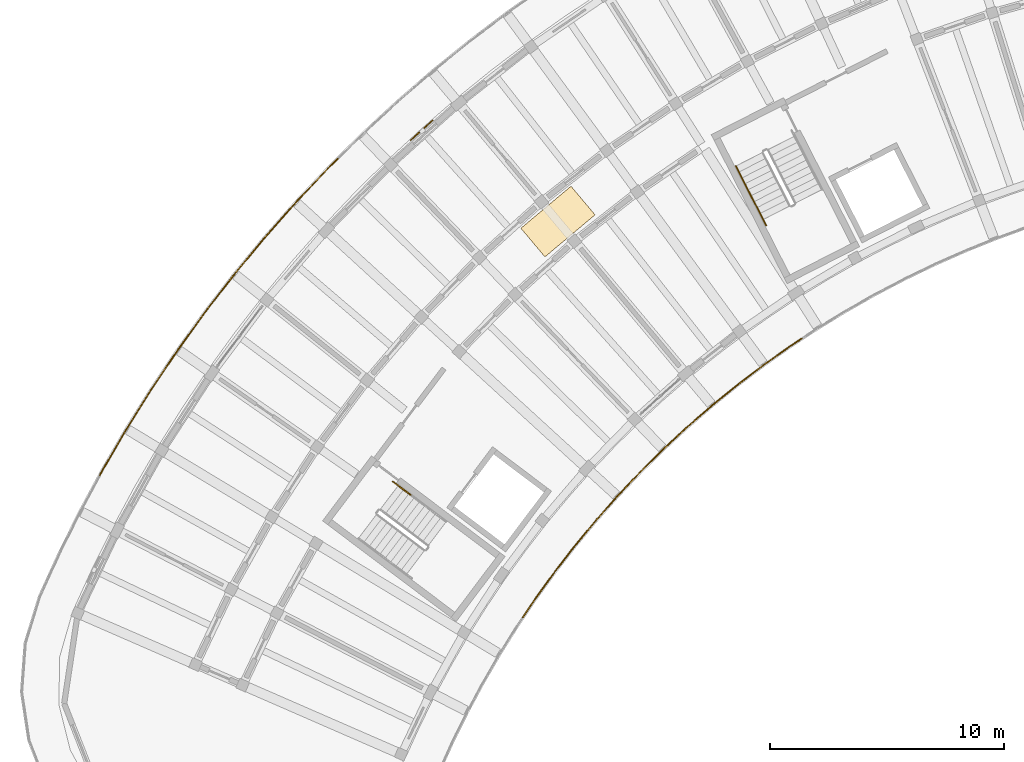
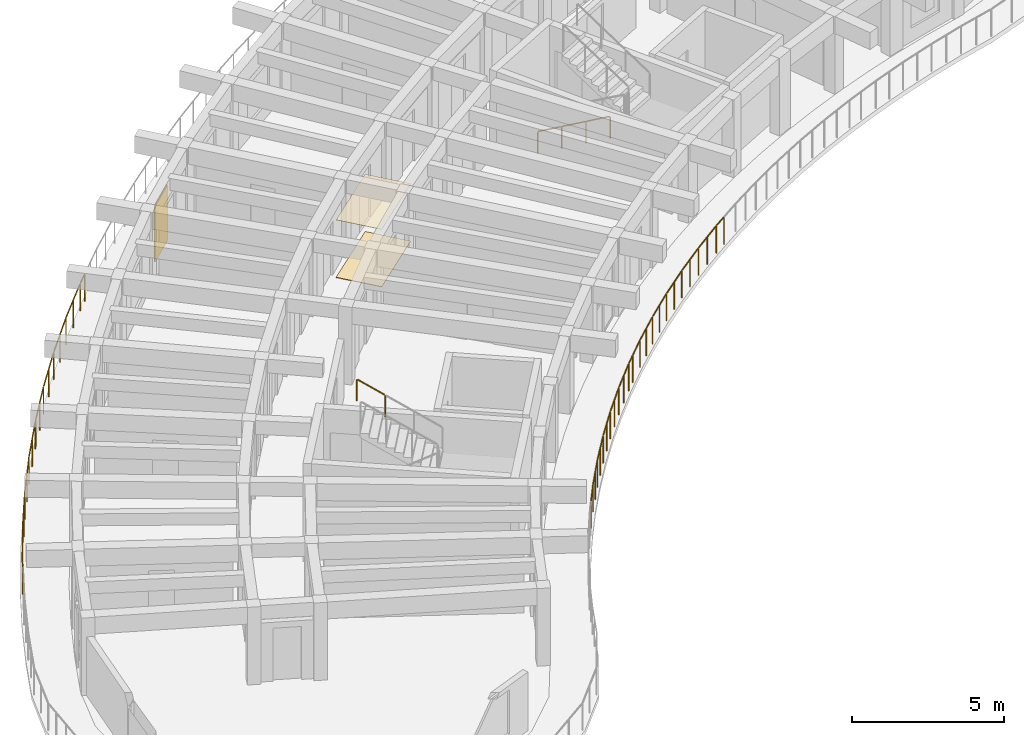
# One storey, part 28 of 32: 8 railings, 2 coverings, 1 shading device.
"""IFC4 building model written with IfcOpenShell, lengths in metres."""

from ifc_helpers import new_model, si_unit, direction, frame, origin, origin_2d, place, context, subcontext, project, spatial, rectangle, circle, extrude, material, layer, layer_set, type_object, element, save


model = new_model("IFC4")

# Units and contexts
model_context = context("Model", 3, precision=1e-05, world=origin(), true_north=direction((0.0, 1.0)))
body_context = subcontext(model_context, "Body", "Model", "MODEL_VIEW")
ifc_project = project(units=[si_unit("LENGTHUNIT", "METRE"), si_unit("AREAUNIT", "SQUARE_METRE"), si_unit("VOLUMEUNIT", "CUBIC_METRE"), si_unit("PLANEANGLEUNIT", "RADIAN"), si_unit("MASSUNIT", "GRAM", prefix="KILO")], contexts=[model_context])

# Site, building, storey
site_placement = place(None, origin())
site = spatial("IfcSite", under=ifc_project, at=site_placement, CompositionType="ELEMENT")
building_placement = place(site_placement, origin())
building = spatial("IfcBuilding", under=site, at=building_placement, Name="Tanwirah Colonnade Gardens", CompositionType="ELEMENT")
storey_placement = place(building_placement, frame((0.0, 0.0, 42.43994140625)))
storey = spatial("IfcBuildingStorey", under=building, at=storey_placement, Name="L12", CompositionType="ELEMENT", Elevation=42.43994140625)

# Railings
ifc_material_1 = material(Name="Precast concrete C40/50", Category="concrete")
railing_type_1 = type_object("IfcRailingType", Name="BAL-EXT112", PredefinedType="BALUSTRADE", material=ifc_material_1)
railing_1_placement = place(storey_placement, frame((41.39892578125, 95.754150390625, 0.0)))
element("IfcRailing", 1, at=railing_1_placement, inside=storey, type_object=railing_type_1, Name="Block A L12 Balcony Ribbon Balustrade 3", PredefinedType="BALUSTRADE", context=body_context, shape_type="SweptSolid", body=[
    extrude(circle(Radius=0.02392578125, at=origin_2d()), frame((-0.026123046875, -0.01708984375, 1.09619140625), z_axis=(-0.834976332219, -0.5502858572, 0.0), x_axis=(0.5502858572, -0.834976332219, 0.0)), (0.0, 0.0, 1.0), 0.5),
    extrude(circle(Radius=0.02392578125, at=origin_2d()), frame((-0.49755859375, -0.3291015625, 1.09619140625), z_axis=(-0.816321661452, -0.577597563226, 0.0), x_axis=(0.577597563226, -0.816321661452, 0.0)), (0.0, 0.0, 1.0), 1.341552734375),
    extrude(circle(Radius=0.02392578125, at=origin_2d()), frame((-1.645263671875, -1.142333984375, 1.09619140625), z_axis=(-0.796818244666, -0.604219070344, 0.0), x_axis=(0.604219070344, -0.796818244666, 0.0)), (0.0, 0.0, 1.0), 1.342041015625),
    extrude(circle(Radius=0.02392578125, at=origin_2d()), frame((-2.765625, -1.993408203125, 1.09619140625), z_axis=(-0.776491375378, -0.630127879056, 0.0), x_axis=(0.630127879056, -0.776491375378, 0.0)), (0.0, 0.0, 1.0), 1.342041015625),
    extrude(circle(Radius=0.02392578125, at=origin_2d()), frame((-3.857666015625, -2.880859375, 1.09619140625), z_axis=(-0.755402192857, -0.655261418845, 0.0), x_axis=(0.655261418845, -0.755402192857, 0.0)), (0.0, 0.0, 1.0), 1.341796875),
    extrude(circle(Radius=0.02392578125, at=origin_2d()), frame((-4.919677734375, -3.803466796875, 1.09619140625), z_axis=(-0.73336899588, -0.679830799451, 0.0), x_axis=(0.679830799451, -0.73336899588, 0.0)), (0.0, 0.0, 1.0), 1.342041015625),
    extrude(circle(Radius=0.02392578125, at=origin_2d()), frame((-5.950927734375, -4.7607421875, 1.09619140625), z_axis=(-0.710354062719, -0.703844518043, 0.0), x_axis=(0.703844518043, -0.710354062719, 0.0)), (0.0, 0.0, 1.0), 0.837646484375),
    extrude(circle(Radius=0.02099609375, at=origin_2d()), origin(), (0.0, 0.0, 1.0), 1.069091796875),
    extrude(circle(Radius=0.02099609375, at=origin_2d()), frame((-0.4697265625, -0.3095703125, 0.0)), (0.0, 0.0, 1.0), 1.069091796875),
    extrude(circle(Radius=0.02099609375, at=origin_2d()), frame((-1.044921875, -0.716552734375, 0.0)), (0.0, 0.0, 1.0), 1.069091796875),
    extrude(circle(Radius=0.02099609375, at=origin_2d()), frame((-1.6181640625, -1.1220703125, 0.0)), (0.0, 0.0, 1.0), 1.069091796875),
    extrude(circle(Radius=0.02099609375, at=origin_2d()), frame((-2.179931640625, -1.5478515625, 0.0)), (0.0, 0.0, 1.0), 1.069091796875),
    extrude(circle(Radius=0.02099609375, at=origin_2d()), frame((-2.739501953125, -1.97216796875, 0.0)), (0.0, 0.0, 1.0), 1.069091796875),
    extrude(circle(Radius=0.02099609375, at=origin_2d()), frame((-3.28662109375, -2.416015625, 0.0)), (0.0, 0.0, 1.0), 1.069091796875),
    extrude(circle(Radius=0.02099609375, at=origin_2d()), frame((-3.83203125, -2.858642578125, 0.0)), (0.0, 0.0, 1.0), 1.069091796875),
    extrude(circle(Radius=0.02099609375, at=origin_2d()), frame((-4.3642578125, -3.3203125, 0.0)), (0.0, 0.0, 1.0), 1.069091796875),
    extrude(circle(Radius=0.02099609375, at=origin_2d()), frame((-4.894775390625, -3.780517578125, 0.0)), (0.0, 0.0, 1.0), 1.069091796875),
    extrude(circle(Radius=0.02099609375, at=origin_2d()), frame((-5.41162109375, -4.259765625, 0.0)), (0.0, 0.0, 1.0), 1.069091796875),
    extrude(circle(Radius=0.02099609375, at=origin_2d()), frame((-5.9267578125, -4.737060546875, 0.0)), (0.0, 0.0, 1.0), 1.069091796875),
    extrude(circle(Radius=0.02099609375, at=origin_2d()), frame((-6.568115234375, -5.372314453125, 0.0)), (0.0, 0.0, 1.0), 1.069091796875),
])
railing_2_placement = place(storey_placement, frame((34.830810546875, 90.3818359375, 0.0)))
element("IfcRailing", 2, at=railing_2_placement, inside=storey, type_object=railing_type_1, Name="Block A L12 Balcony Ribbon Balustrade 4", PredefinedType="BALUSTRADE", context=body_context, shape_type="SweptSolid", body=[
    extrude(circle(Radius=0.02392578125, at=origin_2d()), frame((-0.022216796875, -0.02197265625, 1.09619140625), z_axis=(-0.710728564395, -0.703466351543, 0.0), x_axis=(0.703466351543, -0.710728564395, 0.0)), (0.0, 0.0, 1.0), 0.441650390625),
    extrude(circle(Radius=0.02392578125, at=origin_2d()), frame((-0.381591796875, -0.37939453125, 1.09619140625), z_axis=(-0.687011382404, -0.726646654466, 0.0), x_axis=(0.726646654466, -0.687011382404, 0.0)), (0.0, 0.0, 1.0), 1.341796875),
    extrude(circle(Radius=0.02392578125, at=origin_2d()), frame((-1.347412109375, -1.402587890625, 1.09619140625), z_axis=(-0.662581384852, -0.748989925464, 0.0), x_axis=(0.748989925464, -0.662581384852, 0.0)), (0.0, 0.0, 1.0), 1.341796875),
    extrude(circle(Radius=0.02392578125, at=origin_2d()), frame((-2.27880859375, -2.45703125, 1.09619140625), z_axis=(-0.637581943595, -0.770382544715, 0.0), x_axis=(0.770382544715, -0.637581943595, 0.0)), (0.0, 0.0, 1.0), 1.342041015625),
    extrude(circle(Radius=0.02392578125, at=origin_2d()), frame((-3.175048828125, -3.54150390625, 1.09619140625), z_axis=(-0.611783903817, -0.791024939576, 0.0), x_axis=(0.791024939576, -0.611783903817, 0.0)), (0.0, 0.0, 1.0), 1.341796875),
    extrude(circle(Radius=0.02392578125, at=origin_2d()), frame((-4.034912109375, -4.6552734375, 1.09619140625), z_axis=(-0.585522290474, -0.810656306556, 0.0), x_axis=(0.810656306556, -0.585522290474, 0.0)), (0.0, 0.0, 1.0), 1.341796875),
    extrude(circle(Radius=0.02392578125, at=origin_2d()), frame((-4.85791015625, -5.79638671875, 1.09619140625), z_axis=(-0.558457290796, -0.829533275015, 0.0), x_axis=(0.829533275015, -0.558457290796, 0.0)), (0.0, 0.0, 1.0), 0.895751953125),
    extrude(circle(Radius=0.02099609375, at=origin_2d()), origin(), (0.0, 0.0, 1.0), 1.069091796875),
    extrude(circle(Radius=0.02099609375, at=origin_2d()), frame((-0.3583984375, -0.354736328125, 0.0)), (0.0, 0.0, 1.0), 1.069091796875),
    extrude(circle(Radius=0.02099609375, at=origin_2d()), frame((-0.842529296875, -0.866943359375, 0.0)), (0.0, 0.0, 1.0), 1.069091796875),
    extrude(circle(Radius=0.02099609375, at=origin_2d()), frame((-1.324951171875, -1.377197265625, 0.0)), (0.0, 0.0, 1.0), 1.069091796875),
    extrude(circle(Radius=0.02099609375, at=origin_2d()), frame((-1.7919921875, -1.905029296875, 0.0)), (0.0, 0.0, 1.0), 1.069091796875),
    extrude(circle(Radius=0.02099609375, at=origin_2d()), frame((-2.257080078125, -2.430908203125, 0.0)), (0.0, 0.0, 1.0), 1.069091796875),
    extrude(circle(Radius=0.02099609375, at=origin_2d()), frame((-2.70654296875, -2.973876953125, 0.0)), (0.0, 0.0, 1.0), 1.069091796875),
    extrude(circle(Radius=0.02099609375, at=origin_2d()), frame((-3.154296875, -3.514892578125, 0.0)), (0.0, 0.0, 1.0), 1.069091796875),
    extrude(circle(Radius=0.02099609375, at=origin_2d()), frame((-3.58544921875, -4.072265625, 0.0)), (0.0, 0.0, 1.0), 1.069091796875),
    extrude(circle(Radius=0.02099609375, at=origin_2d()), frame((-4.01513671875, -4.627685546875, 0.0)), (0.0, 0.0, 1.0), 1.069091796875),
    extrude(circle(Radius=0.02099609375, at=origin_2d()), frame((-4.427734375, -5.19921875, 0.0)), (0.0, 0.0, 1.0), 1.069091796875),
    extrude(circle(Radius=0.02099609375, at=origin_2d()), frame((-4.8388671875, -5.768310546875, 0.0)), (0.0, 0.0, 1.0), 1.069091796875),
    extrude(circle(Radius=0.02099609375, at=origin_2d()), frame((-5.37548828125, -6.5654296875, 0.0)), (0.0, 0.0, 1.0), 1.069091796875),
])
railing_3_placement = place(storey_placement, frame((11.359130859375, 89.904296875, 0.0)))
element("IfcRailing", 3, at=railing_3_placement, inside=storey, type_object=railing_type_1, Name="Block A L12 Balcony Ribbon Balustrade 10", PredefinedType="BALUSTRADE", context=body_context, shape_type="SweptSolid", body=[
    extrude(circle(Radius=0.02392578125, at=origin_2d()), frame((0.014892578125, 0.027587890625, 1.09619140625), z_axis=(0.474431333682, 0.880292513668, 0.0), x_axis=(-0.880292513668, 0.474431333682, 0.0)), (0.0, 0.0, 1.0), 0.200927734375),
    extrude(circle(Radius=0.02392578125, at=origin_2d()), frame((0.140625, 0.259033203125, 1.09619140625), z_axis=(0.502421024862, 0.864623105045, 0.0), x_axis=(-0.864623105045, 0.502421024862, 0.0)), (0.0, 0.0, 1.0), 1.958984375),
    extrude(circle(Radius=0.02392578125, at=origin_2d()), frame((1.1572265625, 2.00634765625, 1.09619140625), z_axis=(0.530812919598, 0.847489023167, 0.0), x_axis=(-0.847489023167, 0.530812919598, 0.0)), (0.0, 0.0, 1.0), 1.958984375),
    extrude(circle(Radius=0.02392578125, at=origin_2d()), frame((2.23095703125, 3.71875, 1.09619140625), z_axis=(0.558345997542, 0.829608188863, 0.0), x_axis=(-0.829608188863, 0.558345997542, 0.0)), (0.0, 0.0, 1.0), 1.958984375),
    extrude(circle(Radius=0.02392578125, at=origin_2d()), frame((3.360595703125, 5.395263671875, 1.09619140625), z_axis=(0.585468507287, 0.810695150457, 0.0), x_axis=(-0.810695150457, 0.585468507287, 0.0)), (0.0, 0.0, 1.0), 1.958984375),
    extrude(circle(Radius=0.02392578125, at=origin_2d()), frame((4.544921875, 7.033447265625, 1.09619140625), z_axis=(0.611355191871, 0.791356322634, 0.0), x_axis=(-0.791356322634, 0.611355191871, 0.0)), (0.0, 0.0, 1.0), 0.088134765625),
    extrude(circle(Radius=0.02099609375, at=origin_2d()), origin(), (0.0, 0.0, 1.0), 1.069091796875),
    extrude(circle(Radius=0.02099609375, at=origin_2d()), frame((0.125, 0.23193359375, 0.0)), (0.0, 0.0, 1.0), 1.069091796875),
    extrude(circle(Radius=0.02099609375, at=origin_2d()), frame((0.6328125, 1.10595703125, 0.0)), (0.0, 0.0, 1.0), 1.069091796875),
    extrude(circle(Radius=0.02099609375, at=origin_2d()), frame((1.140625, 1.979736328125, 0.0)), (0.0, 0.0, 1.0), 1.069091796875),
    extrude(circle(Radius=0.02099609375, at=origin_2d()), frame((1.67724609375, 2.83642578125, 0.0)), (0.0, 0.0, 1.0), 1.069091796875),
    extrude(circle(Radius=0.02099609375, at=origin_2d()), frame((2.213623046875, 3.69287109375, 0.0)), (0.0, 0.0, 1.0), 1.069091796875),
    extrude(circle(Radius=0.02099609375, at=origin_2d()), frame((2.77783203125, 4.53125, 0.0)), (0.0, 0.0, 1.0), 1.069091796875),
    extrude(circle(Radius=0.02099609375, at=origin_2d()), frame((3.34228515625, 5.369873046875, 0.0)), (0.0, 0.0, 1.0), 1.069091796875),
    extrude(circle(Radius=0.02099609375, at=origin_2d()), frame((3.93408203125, 6.189453125, 0.0)), (0.0, 0.0, 1.0), 1.069091796875),
    extrude(circle(Radius=0.02099609375, at=origin_2d()), frame((4.52587890625, 7.0087890625, 0.0)), (0.0, 0.0, 1.0), 1.069091796875),
    extrude(circle(Radius=0.02099609375, at=origin_2d()), frame((4.617919921875, 7.1279296875, 0.0)), (0.0, 0.0, 1.0), 1.069091796875),
])
railing_4_placement = place(storey_placement, frame((15.97705078125, 97.0322265625, 0.0)))
element("IfcRailing", 4, at=railing_4_placement, inside=storey, type_object=railing_type_1, Name="Block A L12 Balcony Ribbon Balustrade 11", PredefinedType="BALUSTRADE", context=body_context, shape_type="SweptSolid", body=[
    extrude(circle(Radius=0.02392578125, at=origin_2d()), frame((0.01904296875, 0.024658203125, 1.09619140625), z_axis=(0.611896795674, 0.790937615393, 0.0), x_axis=(-0.790937615393, 0.611896795674, 0.0)), (0.0, 0.0, 1.0), 1.808349609375),
    extrude(circle(Radius=0.02392578125, at=origin_2d()), frame((1.164794921875, 1.50390625, 1.09619140625), z_axis=(0.637555355491, 0.770404548717, 0.0), x_axis=(-0.770404548717, 0.637555355491, 0.0)), (0.0, 0.0, 1.0), 1.958984375),
    extrude(circle(Radius=0.02392578125, at=origin_2d()), frame((2.454345703125, 3.060546875, 1.09619140625), z_axis=(0.662607760508, 0.748966591854, 0.0), x_axis=(-0.748966591854, 0.662607760508, 0.0)), (0.0, 0.0, 1.0), 1.958740234375),
    extrude(circle(Radius=0.02392578125, at=origin_2d()), frame((3.79443359375, 4.57373046875, 1.09619140625), z_axis=(0.686960364449, 0.726694886232, 0.0), x_axis=(-0.726694886232, 0.686960364449, 0.0)), (0.0, 0.0, 1.0), 1.958984375),
    extrude(circle(Radius=0.02392578125, at=origin_2d()), frame((5.183837890625, 6.0419921875, 1.09619140625), z_axis=(0.71055602075, 0.703640633687, 0.0), x_axis=(-0.703640633687, 0.71055602075, 0.0)), (0.0, 0.0, 1.0), 0.50244140625),
    extrude(circle(Radius=0.02099609375, at=origin_2d()), origin(), (0.0, 0.0, 1.0), 1.069091796875),
    extrude(circle(Radius=0.02099609375, at=origin_2d()), frame((0.572265625, 0.73974609375, 0.0)), (0.0, 0.0, 1.0), 1.069091796875),
    extrude(circle(Radius=0.02099609375, at=origin_2d()), frame((1.144775390625, 1.479736328125, 0.0)), (0.0, 0.0, 1.0), 1.069091796875),
    extrude(circle(Radius=0.02099609375, at=origin_2d()), frame((1.7890625, 2.25830078125, 0.0)), (0.0, 0.0, 1.0), 1.069091796875),
    extrude(circle(Radius=0.02099609375, at=origin_2d()), frame((2.43359375, 3.037109375, 0.0)), (0.0, 0.0, 1.0), 1.069091796875),
    extrude(circle(Radius=0.02099609375, at=origin_2d()), frame((3.103271484375, 3.7939453125, 0.0)), (0.0, 0.0, 1.0), 1.069091796875),
    extrude(circle(Radius=0.02099609375, at=origin_2d()), frame((3.77294921875, 4.551025390625, 0.0)), (0.0, 0.0, 1.0), 1.069091796875),
    extrude(circle(Radius=0.02099609375, at=origin_2d()), frame((4.46728515625, 5.28564453125, 0.0)), (0.0, 0.0, 1.0), 1.069091796875),
    extrude(circle(Radius=0.02099609375, at=origin_2d()), frame((5.16162109375, 6.02001953125, 0.0)), (0.0, 0.0, 1.0), 1.069091796875),
    extrude(circle(Radius=0.02099609375, at=origin_2d()), frame((5.56298828125, 6.41748046875, 0.0)), (0.0, 0.0, 1.0), 1.069091796875),
])

# Coverings
ifc_material_2 = material(Name="Acoustic perforated gypsum ceiling board")
ifc_layer_1 = layer(ifc_material_2, 0.014892578125)
ifc_layer_set_1 = layer_set([ifc_layer_1], Name="Acoustic perforated gypsum ceiling board")
covering_type_1 = type_object("IfcCoveringType", Name="COV-CEIL15", PredefinedType="CEILING", material=ifc_layer_set_1)
covering_1_placement = place(storey_placement, frame((30.96435546875, 100.761962890625, 2.3125), z_axis=(0.0, 0.0, 1.0), x_axis=(-0.766044443119, -0.642787609687, 0.0)))
element("IfcCovering", 5, at=covering_1_placement, inside=storey, type_object=covering_type_1, Name="Block A L12 Corridor Acoustic Ceiling", PredefinedType="CEILING", context=body_context, shape_type="SweptSolid", body=[
    extrude(rectangle(XDim=2.800048828125, YDim=1.60009765625, at=origin_2d()), origin(), (0.0, 0.0, 1.0), 0.014892578125),
])
ifc_material_3 = material(Name="Honed Abu Dhabi limestone terrazzo flooring", Category="masonry")
ifc_layer_2 = layer(ifc_material_3, 0.02001953125)
ifc_layer_set_2 = layer_set([ifc_layer_2], Name="Honed Abu Dhabi limestone terrazzo flooring")
covering_type_2 = type_object("IfcCoveringType", Name="COV-FLR20", PredefinedType="FLOORING", material=ifc_layer_set_2)
covering_2_placement = place(storey_placement, frame((30.96435546875, 100.761962890625, 0.0), z_axis=(0.0, 0.0, 1.0), x_axis=(-0.766044443119, -0.642787609687, 0.0)))
element("IfcCovering", 6, at=covering_2_placement, inside=storey, type_object=covering_type_2, Name="Block A L12 Corridor Terrazzo Flooring", PredefinedType="FLOORING", context=body_context, shape_type="SweptSolid", body=[
    extrude(rectangle(XDim=2.800048828125, YDim=1.60009765625, at=origin_2d()), origin(), (0.0, 0.0, 1.0), 0.02001953125),
])

# Railings
ifc_material_4 = material(Name="Brushed bronze stainless steel", Category="steel")
railing_type_2 = type_object("IfcRailingType", Name="HR-ST090", PredefinedType="HANDRAIL", material=ifc_material_4)
railing_5_placement = place(storey_placement, frame((38.578369140625, 103.134521484375, 0.16796875)))
element("IfcRailing", 7, at=railing_5_placement, inside=storey, type_object=railing_type_2, Name="L12 ST-A1 stair handrail 1", PredefinedType="HANDRAIL", context=body_context, shape_type="SweptSolid", body=[
    extrude(circle(Radius=0.02392578125, at=origin_2d()), frame((0.01220703125, -0.02392578125, 0.891845703125), z_axis=(0.390007559961, -0.765447774728, 0.511843537946), x_axis=(0.891010084603, 0.453983511965, 0.0)), (0.0, 0.0, 1.0), 1.043701171875),
    extrude(circle(Radius=0.02099609375, at=origin_2d()), origin(), (0.0, 0.0, 1.0), 0.848876953125),
    extrude(circle(Radius=0.02099609375, at=origin_2d()), frame((0.431396484375, -0.8466796875, 0.566162109375)), (0.0, 0.0, 1.0), 0.848876953125),
])
railing_6_placement = place(storey_placement, frame((39.009765625, 102.287841796875, 0.734130859375)))
element("IfcRailing", 8, at=railing_6_placement, inside=storey, type_object=railing_type_2, Name="L12 ST-A1 stair handrail 2", PredefinedType="HANDRAIL", context=body_context, shape_type="SweptSolid", body=[
    extrude(circle(Radius=0.02392578125, at=origin_2d()), frame((0.01220703125, -0.02392578125, 0.891845703125), z_axis=(0.38993033558, -0.765508761867, 0.511811165275), x_axis=(0.891061070925, 0.453883429839, 0.0)), (0.0, 0.0, 1.0), 1.043212890625),
    extrude(circle(Radius=0.02099609375, at=origin_2d()), origin(), (0.0, 0.0, 1.0), 0.848876953125),
    extrude(circle(Radius=0.02099609375, at=origin_2d()), frame((0.43115234375, -0.846435546875, 0.56591796875)), (0.0, 0.0, 1.0), 0.848876953125),
])
railing_7_placement = place(storey_placement, frame((39.44091796875, 101.44140625, 1.300048828125)))
element("IfcRailing", 9, at=railing_7_placement, inside=storey, type_object=railing_type_2, Name="L12 ST-A1 stair handrail 3", PredefinedType="HANDRAIL", context=body_context, shape_type="SweptSolid", body=[
    extrude(circle(Radius=0.02392578125, at=origin_2d()), frame((0.01220703125, -0.02392578125, 0.891845703125), z_axis=(0.390117538533, -0.765442844423, 0.51176709356), x_axis=(0.890957114254, 0.454087459154, 0.0)), (0.0, 0.0, 1.0), 1.043212890625),
    extrude(circle(Radius=0.02099609375, at=origin_2d()), origin(), (0.0, 0.0, 1.0), 0.848876953125),
    extrude(circle(Radius=0.02099609375, at=origin_2d()), frame((0.431396484375, -0.846435546875, 0.56591796875)), (0.0, 0.0, 1.0), 0.848876953125),
])
railing_8_placement = place(storey_placement, frame((24.659423828125, 89.05859375, 2.97998046875)))
element("IfcRailing", 10, at=railing_8_placement, inside=storey, type_object=railing_type_2, Name="L12 ST-A2 stair handrail 6", PredefinedType="HANDRAIL", context=body_context, shape_type="SweptSolid", body=[
    extrude(circle(Radius=0.02392578125, at=origin_2d()), frame((-0.021484375, 0.01611328125, 0.891845703125), z_axis=(-0.686067825084, 0.516979036791, 0.511901958292), x_axis=(-0.601807485929, -0.798641189696, 0.0)), (0.0, 0.0, 1.0), 1.04345703125),
    extrude(circle(Radius=0.02099609375, at=origin_2d()), origin(), (0.0, 0.0, 1.0), 0.848876953125),
    extrude(circle(Radius=0.02099609375, at=origin_2d()), frame((-0.7587890625, 0.57177734375, 0.566162109375)), (0.0, 0.0, 1.0), 0.848876953125),
])

# Shading device
ifc_material_5 = material(Name="Perforated architectural bronze aluminium", Category="aluminium")
ifc_layer_3 = layer(ifc_material_5, 0.044921875)
ifc_layer_set_3 = layer_set([ifc_layer_3], Name="Perforated architectural bronze aluminium")
shading_device_type = type_object("IfcShadingDeviceType", Name="SHD-MSH1", PredefinedType="JALOUSIE", material=ifc_layer_set_3)
shading_device_placement = place(storey_placement, frame((25.13330078125, 104.671875, 0.0), z_axis=(0.0, 0.0, 1.0), x_axis=(-0.744440031514, -0.667689328565, 0.0)))
element("IfcShadingDevice", 11, at=shading_device_placement, inside=storey, type_object=shading_device_type, Name="Bronze mashrabiya solar screen A-L12-09", PredefinedType="JALOUSIE", context=body_context, shape_type="SweptSolid", body=[
    extrude(rectangle(XDim=1.300048828125, YDim=0.044921875, at=origin_2d()), origin(), (0.0, 0.0, 1.0), 2.25),
])

save(model, "model.ifc")
